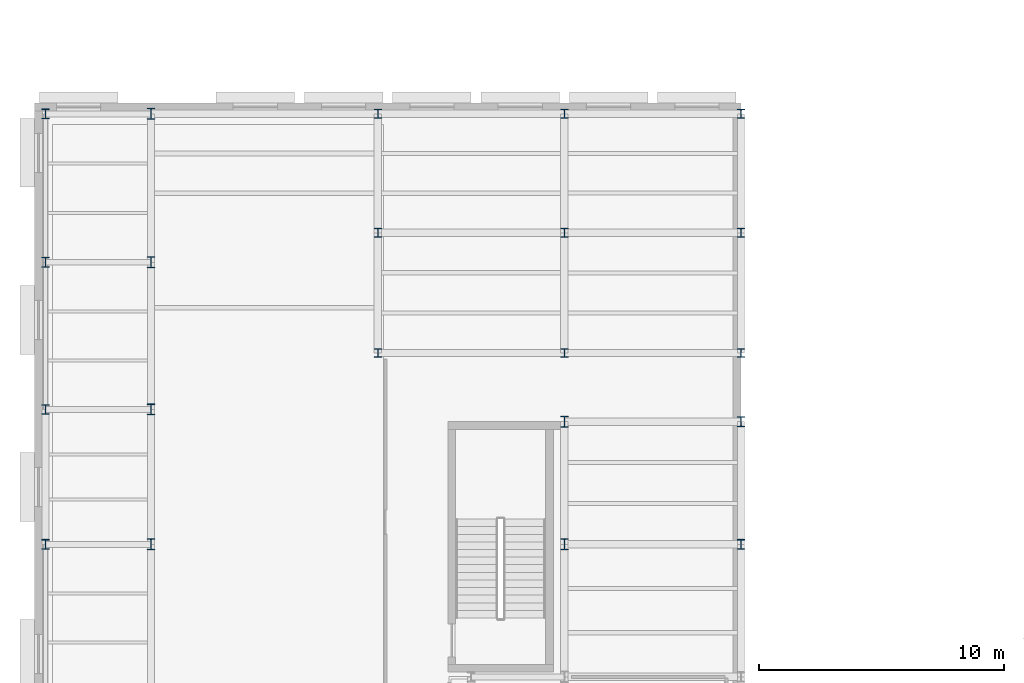
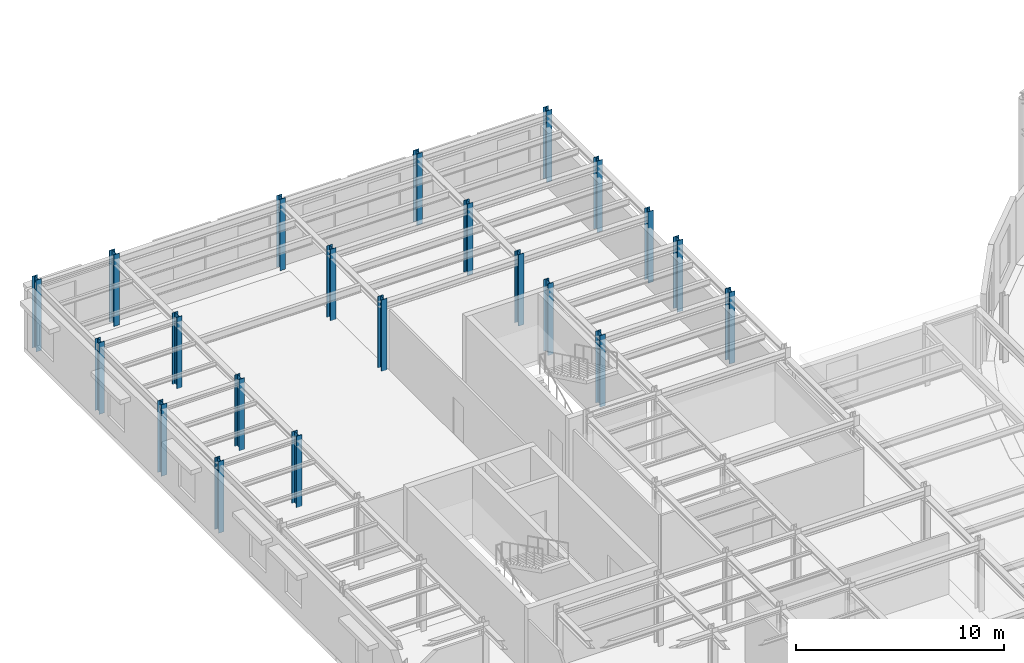
# One storey, part 8 of 75: 21 columns.
"""IFC4 building model written with IfcOpenShell, lengths in metres."""

from ifc_helpers import new_model, si_unit, direction, frame, origin, origin_2d, place, context, subcontext, project, spatial, i_section, extrude, material, material_profile, profile_set, type_object, element, save


model = new_model("IFC4")

# Units and contexts
model_context = context("Model", 3, precision=1e-05, world=origin(), true_north=direction((0.0, 1.0)))
body_context = subcontext(model_context, "Body", "Model", "MODEL_VIEW")
ifc_project = project(units=[si_unit("LENGTHUNIT", "METRE"), si_unit("AREAUNIT", "SQUARE_METRE"), si_unit("VOLUMEUNIT", "CUBIC_METRE"), si_unit("PLANEANGLEUNIT", "RADIAN"), si_unit("MASSUNIT", "GRAM", prefix="KILO")], contexts=[model_context])

# Site, building, storey
site_placement = place(None, origin())
site = spatial("IfcSite", under=ifc_project, at=site_placement, CompositionType="ELEMENT")
building_placement = place(site_placement, origin())
building = spatial("IfcBuilding", under=site, at=building_placement, Name="Kolvaren Corner Interchange", CompositionType="ELEMENT")
storey_placement = place(building_placement, frame((0.0, 0.0, 10.5)))
storey = spatial("IfcBuildingStorey", under=building, at=storey_placement, Name="L03", CompositionType="ELEMENT", Elevation=10.5)

# Columns
ifc_material_1 = material(Name="Steel S355", Category="steel")
ifc_material_profile_1 = material_profile(ifc_material_1, i_section(OverallWidth=0.300048828125, OverallDepth=0.360107421875, WebThickness=0.012451171875, FlangeThickness=0.0224609375, FilletRadius=0.027099609375, at=origin_2d()), Name="HEB 360")
ifc_profile_set_1 = profile_set([ifc_material_profile_1], Name="Steel S355")
column_type_1 = type_object("IfcColumnType", Name="COL-HEB360", PredefinedType="COLUMN", material=ifc_profile_set_1)
for number, where, z_axis, x_axis, name in (
    (1, (14.0, 73.800048828125, 0.0), (0.0, 0.0, 1.0), (1.0, 0.0, 0.0), "Storey L03 Structural Column 0420"),
    (2, (14.0, 78.699951171875, 0.0), (0.0, 0.0, 1.0), (1.0, 0.0, 0.0), "Storey L03 Structural Column 0423"),
    (3, (14.0, 83.550048828125, 0.0), (0.0, 0.0, 1.0), (1.0, 0.0, 0.0), "Storey L03 Structural Column 0426"),
    (4, (21.60009765625, 73.800048828125, 0.0), (0.0, 0.0, 1.0), (1.0, 0.0, 0.0), "Storey L03 Structural Column 0429"),
    (5, (21.60009765625, 78.699951171875, 0.0), (0.0, 0.0, 1.0), (1.0, 0.0, 0.0), "Storey L03 Structural Column 0432"),
    (6, (21.60009765625, 83.550048828125, 0.0), (0.0, 0.0, 1.0), (1.0, 0.0, 0.0), "Storey L03 Structural Column 0435"),
    (7, (28.800048828125, 73.800048828125, 0.0), (0.0, 0.0, 1.0), (1.0, 0.0, 0.0), "Storey L03 Structural Column 0438"),
    (8, (28.800048828125, 78.699951171875, 0.0), (0.0, 0.0, 1.0), (1.0, 0.0, 0.0), "Storey L03 Structural Column 0441"),
    (9, (28.800048828125, 83.550048828125, 0.0), (0.0, 0.0, 1.0), (1.0, 0.0, 0.0), "Storey L03 Structural Column 0444"),
):
    element("IfcColumn", number, at=place(storey_placement, frame(where, z_axis=z_axis, x_axis=x_axis)), inside=storey, type_object=column_type_1, Name=name, PredefinedType="COLUMN", context=body_context, shape_type="SweptSolid", body=[
        extrude(i_section(OverallWidth=0.300048828125, OverallDepth=0.360107421875, WebThickness=0.012451171875, FlangeThickness=0.0224609375, FilletRadius=0.027099609375, at=origin_2d()), origin(), (0.0, 0.0, 1.0), 4.199951171875),
    ])
ifc_material_2 = material(Name="Steel S355", Category="steel")
ifc_material_profile_2 = material_profile(ifc_material_2, i_section(OverallWidth=0.300048828125, OverallDepth=0.39990234375, WebThickness=0.013427734375, FlangeThickness=0.02392578125, FilletRadius=0.027099609375, at=origin_2d()), Name="HEB 400")
ifc_profile_set_2 = profile_set([ifc_material_profile_2], Name="Steel S355")
column_type_2 = type_object("IfcColumnType", Name="COL-HEB400", PredefinedType="COLUMN", material=ifc_profile_set_2)
for number, where, z_axis, x_axis, name in (
    (10, (0.449951171875, 66.0, 0.0), (0.0, 0.0, 1.0), (1.0, 0.0, 0.0), "Storey L03 Structural Column 0057"),
    (11, (0.449951171875, 71.5, 0.0), (0.0, 0.0, 1.0), (1.0, 0.0, 0.0), "Storey L03 Structural Column 0061"),
    (12, (0.449951171875, 77.5, 0.0), (0.0, 0.0, 1.0), (1.0, 0.0, 0.0), "Storey L03 Structural Column 0065"),
    (13, (0.449951171875, 83.550048828125, 0.0), (0.0, 0.0, 1.0), (1.0, 0.0, 0.0), "Storey L03 Structural Column 0068"),
    (14, (28.800048828125, 66.0, 0.0), (0.0, 0.0, 1.0), (1.0, 0.0, 0.0), "Storey L03 Structural Column 0413"),
    (15, (28.800048828125, 71.0, 0.0), (0.0, 0.0, 1.0), (1.0, 0.0, 0.0), "Storey L03 Structural Column 0417"),
):
    element("IfcColumn", number, at=place(storey_placement, frame(where, z_axis=z_axis, x_axis=x_axis)), inside=storey, type_object=column_type_2, Name=name, PredefinedType="COLUMN", context=body_context, shape_type="SweptSolid", body=[
        extrude(i_section(OverallWidth=0.300048828125, OverallDepth=0.39990234375, WebThickness=0.013427734375, FlangeThickness=0.02392578125, FilletRadius=0.027099609375, at=origin_2d()), origin(), (0.0, 0.0, 1.0), 4.199951171875),
    ])
ifc_material_3 = material(Name="Steel S355", Category="steel")
ifc_material_profile_3 = material_profile(ifc_material_3, i_section(OverallWidth=0.300048828125, OverallDepth=0.449951171875, WebThickness=0.013916015625, FlangeThickness=0.02587890625, FilletRadius=0.027099609375, at=origin_2d()), Name="HEB 450")
ifc_profile_set_3 = profile_set([ifc_material_profile_3], Name="Steel S355")
column_type_3 = type_object("IfcColumnType", Name="COL-HEB450", PredefinedType="COLUMN", material=ifc_profile_set_3)
for number, where, z_axis, x_axis, name in (
    (16, (4.75, 66.0, 0.0), (0.0, 0.0, 1.0), (1.0, 0.0, 0.0), "Storey L03 Structural Column 0125"),
    (17, (4.75, 71.5, 0.0), (0.0, 0.0, 1.0), (1.0, 0.0, 0.0), "Storey L03 Structural Column 0129"),
    (18, (4.75, 77.5, 0.0), (0.0, 0.0, 1.0), (1.0, 0.0, 0.0), "Storey L03 Structural Column 0133"),
    (19, (4.75, 83.550048828125, 0.0), (0.0, 0.0, 1.0), (1.0, 0.0, 0.0), "Storey L03 Structural Column 0136"),
    (20, (21.60009765625, 66.0, 0.0), (0.0, 0.0, 1.0), (1.0, 0.0, 0.0), "Storey L03 Structural Column 0375"),
    (21, (21.60009765625, 71.0, 0.0), (0.0, 0.0, 1.0), (1.0, 0.0, 0.0), "Storey L03 Structural Column 0380"),
):
    element("IfcColumn", number, at=place(storey_placement, frame(where, z_axis=z_axis, x_axis=x_axis)), inside=storey, type_object=column_type_3, Name=name, PredefinedType="COLUMN", context=body_context, shape_type="SweptSolid", body=[
        extrude(i_section(OverallWidth=0.300048828125, OverallDepth=0.449951171875, WebThickness=0.013916015625, FlangeThickness=0.02587890625, FilletRadius=0.027099609375, at=origin_2d()), origin(), (0.0, 0.0, 1.0), 4.199951171875),
    ])

save(model, "model.ifc")
